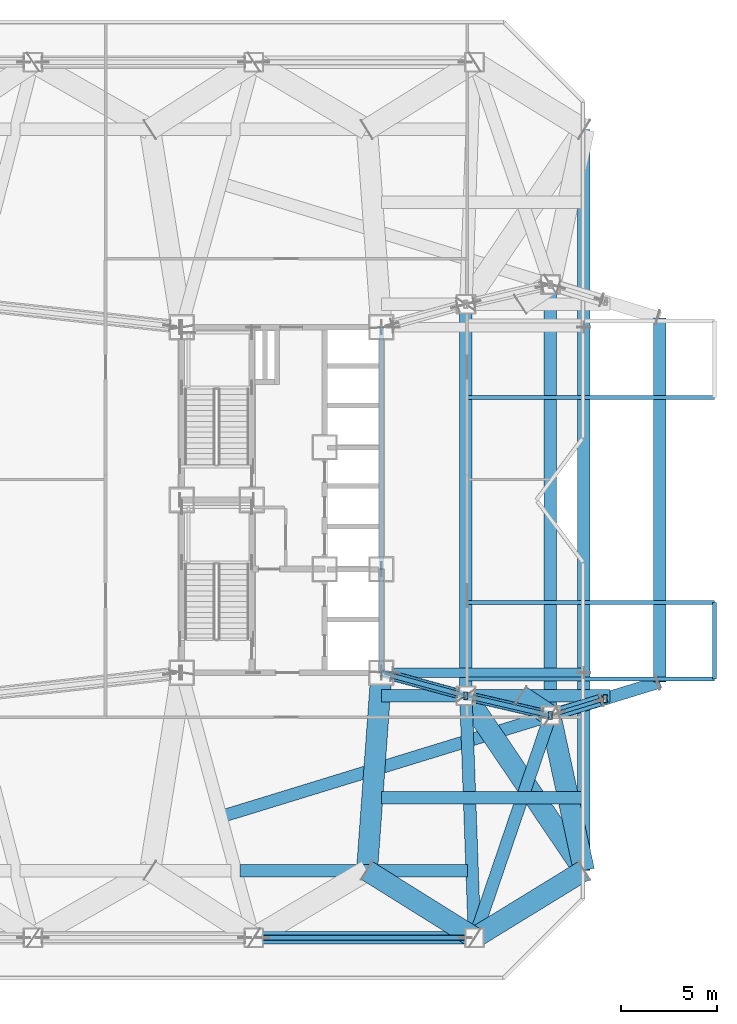
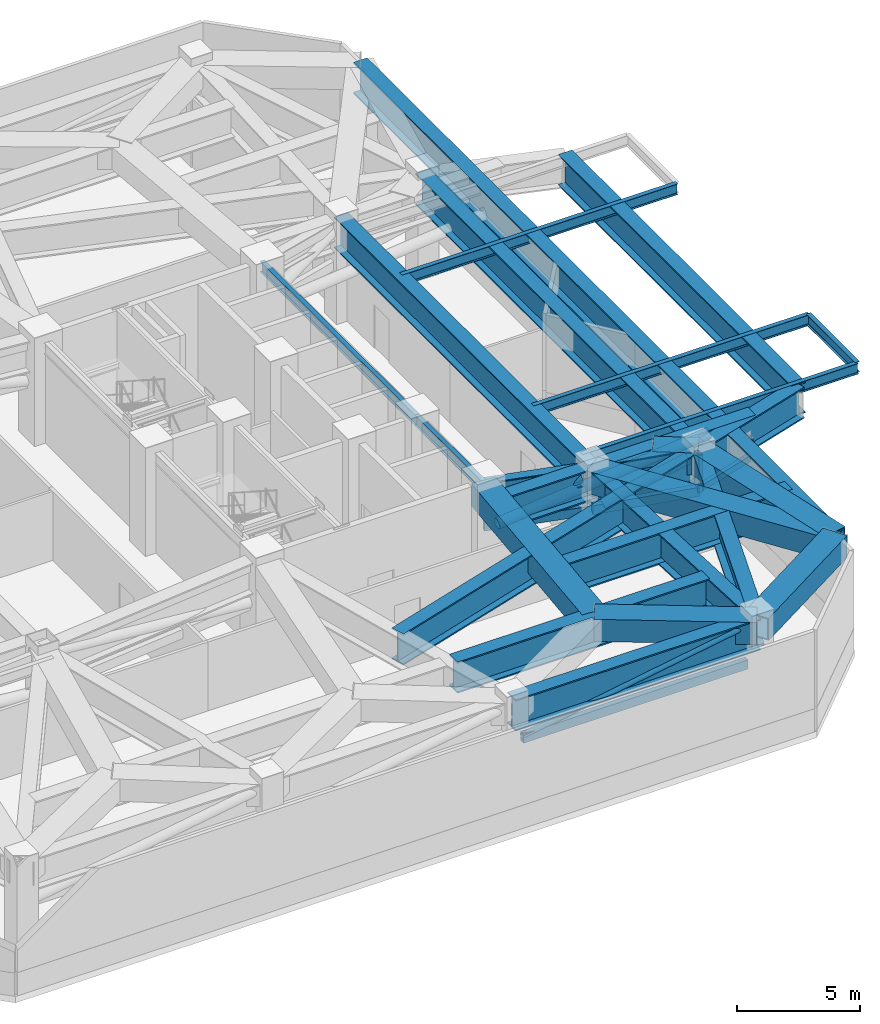
# One storey, part 3 of 18: 25 beams, 14 members.
"""IFC4 building model written with IfcOpenShell, lengths in metres."""

from ifc_helpers import new_model, si_unit, direction, frame, origin, origin_2d, place, context, subcontext, project, spatial, hollow_rectangle, hollow_circle, i_section, extrude, material, material_profile, profile_set, type_object, element, save


model = new_model("IFC4")

# Units and contexts
model_context = context("Model", 3, precision=1e-05, world=origin(), true_north=direction((0.0, 1.0)))
body_context = subcontext(model_context, "Body", "Model", "MODEL_VIEW")
ifc_project = project(units=[si_unit("LENGTHUNIT", "METRE"), si_unit("AREAUNIT", "SQUARE_METRE"), si_unit("VOLUMEUNIT", "CUBIC_METRE"), si_unit("PLANEANGLEUNIT", "RADIAN"), si_unit("MASSUNIT", "GRAM", prefix="KILO")], contexts=[model_context])

# Site, building, storey
site_placement = place(None, origin())
site = spatial("IfcSite", under=ifc_project, at=site_placement, CompositionType="ELEMENT")
building_placement = place(site_placement, origin())
building = spatial("IfcBuilding", under=site, at=building_placement, Name="Khamvora Tower", CompositionType="ELEMENT")
storey_placement = place(building_placement, frame((0.0, 0.0, 84.39990234375)))
storey = spatial("IfcBuildingStorey", under=building, at=storey_placement, Name="L21", CompositionType="ELEMENT", Elevation=84.39990234375)

# Beams
ifc_material_1 = material(Name="Steel S355", Category="steel")
ifc_material_profile_1 = material_profile(ifc_material_1, i_section(OverallWidth=0.208984375, OverallDepth=0.532958984375, WebThickness=0.010009765625, FlangeThickness=0.01611328125, FilletRadius=0.013916015625, at=origin_2d()), Name="W530x92")
ifc_profile_set_1 = profile_set([ifc_material_profile_1], Name="Steel S355")
beam_type_1 = type_object("IfcBeamType", Name="BM-SP-W530x92", PredefinedType="SPANDREL", material=ifc_profile_set_1)
beam_1_placement = place(storey_placement, frame((39.39990234375, 19.0, 4.714111328125), z_axis=(0.0, 1.0, 0.0), x_axis=(-1.0, 0.0, 0.0)))
element("IfcBeam", 1, at=beam_1_placement, inside=storey, type_object=beam_type_1, Name="L21 core spine girder ES", PredefinedType="SPANDREL", context=body_context, shape_type="SweptSolid", body=[
    extrude(i_section(OverallWidth=0.208984375, OverallDepth=0.532958984375, WebThickness=0.010009765625, FlangeThickness=0.01611328125, FilletRadius=0.013916015625, at=origin_2d()), origin(), (0.0, 0.0, 1.0), 5.39990234375),
])
beam_2_placement = place(storey_placement, frame((39.39990234375, 24.39990234375, 4.714111328125), z_axis=(0.0, 1.0, 0.0), x_axis=(-1.0, 0.0, 0.0)))
element("IfcBeam", 2, at=beam_2_placement, inside=storey, type_object=beam_type_1, Name="L21 core spine girder EN", PredefinedType="SPANDREL", context=body_context, shape_type="SweptSolid", body=[
    extrude(i_section(OverallWidth=0.208984375, OverallDepth=0.532958984375, WebThickness=0.010009765625, FlangeThickness=0.01611328125, FilletRadius=0.013916015625, at=origin_2d()), origin(), (0.0, 0.0, 1.0), 12.60009765625),
])
for number, where, z_axis, x_axis, name in (
    (3, (43.800048828125, 18.669921875, 4.714111328125), (1.0, 0.0, 0.0), (0.0, 1.0, 0.0), "L21 continuous gallery cantilever girder L22-EL1-1"),
    (4, (43.800048828125, 22.64990234375, 4.714111328125), (1.0, 0.0, 0.0), (0.0, 1.0, 0.0), "L21 continuous gallery cantilever girder L22-EL1-2"),
):
    element("IfcBeam", number, at=place(storey_placement, frame(where, z_axis=z_axis, x_axis=x_axis)), inside=storey, type_object=beam_type_1, Name=name, PredefinedType="SPANDREL", context=body_context, shape_type="SweptSolid", body=[
        extrude(i_section(OverallWidth=0.208984375, OverallDepth=0.532958984375, WebThickness=0.010009765625, FlangeThickness=0.01611328125, FilletRadius=0.013916015625, at=origin_2d()), origin(), (0.0, 0.0, 1.0), 12.949951171875),
    ])
beam_3_placement = place(storey_placement, frame((56.75, 18.669921875, 4.714111328125), z_axis=(0.0, 1.0, 0.0), x_axis=(-1.0, 0.0, 0.0)))
element("IfcBeam", 5, at=beam_3_placement, inside=storey, type_object=beam_type_1, Name="L21 external gallery edge header beam L22-EL1", PredefinedType="SPANDREL", context=body_context, shape_type="SweptSolid", body=[
    extrude(i_section(OverallWidth=0.208984375, OverallDepth=0.532958984375, WebThickness=0.010009765625, FlangeThickness=0.01611328125, FilletRadius=0.013916015625, at=origin_2d()), origin(), (0.0, 0.0, 1.0), 3.97998046875),
])
beam_4_placement = place(storey_placement, frame((43.800048828125, 33.35009765625, 4.714111328125), z_axis=(1.0, 0.0, 0.0), x_axis=(0.0, 1.0, 0.0)))
element("IfcBeam", 6, at=beam_4_placement, inside=storey, type_object=beam_type_1, Name="L21 continuous gallery cantilever girder L22-EL2-1", PredefinedType="SPANDREL", context=body_context, shape_type="SweptSolid", body=[
    extrude(i_section(OverallWidth=0.208984375, OverallDepth=0.532958984375, WebThickness=0.010009765625, FlangeThickness=0.01611328125, FilletRadius=0.013916015625, at=origin_2d()), origin(), (0.0, 0.0, 1.0), 12.949951171875),
])
ifc_material_2 = material(Name="Steel S460", Category="steel")
ifc_material_profile_2 = material_profile(ifc_material_2, hollow_rectangle(XDim=1.10009765625, YDim=1.10009765625, WallThickness=0.054931640625, at=origin_2d()), Name="BOX1100x1100x55")
ifc_profile_set_2 = profile_set([ifc_material_profile_2], Name="Steel S460")
beam_type_2 = type_object("IfcBeamType", Name="BM-TG-BOX1100", PredefinedType="BEAM", material=ifc_profile_set_2)
beam_5_placement = place(storey_placement, frame((44.25, 5.199951171875, 4.43017578125), z_axis=(-0.848002457836, 0.529992293815, 0.0), x_axis=(-0.529992293815, -0.848002457836, 0.0)))
element("IfcBeam", 7, at=beam_5_placement, inside=storey, type_object=beam_type_2, Name="L21 Zone Transfer Truss frame transfer link S3.1", PredefinedType="BEAM", context=body_context, shape_type="SweptSolid", body=[
    extrude(hollow_rectangle(XDim=1.10009765625, YDim=1.10009765625, WallThickness=0.054931640625, at=origin_2d()), origin(), (0.0, 0.0, 1.0), 6.603759765625),
])
beam_6_placement = place(storey_placement, frame((39.39990234375, 19.0, 4.43017578125), z_axis=(-0.07262291808, -0.997359469685, 0.0), x_axis=(0.997359469685, -0.07262291808, 0.0)))
element("IfcBeam", 8, at=beam_6_placement, inside=storey, type_object=beam_type_2, Name="L21 Zone Transfer Truss frame transfer link S3.3", PredefinedType="BEAM", context=body_context, shape_type="SweptSolid", body=[
    extrude(hollow_rectangle(XDim=1.10009765625, YDim=1.10009765625, WallThickness=0.054931640625, at=origin_2d()), origin(), (0.0, 0.0, 1.0), 10.327392578125),
])
beam_7_placement = place(storey_placement, frame((44.25, 5.199951171875, 4.43017578125), z_axis=(0.852169226934, 0.523266288488, 0.0), x_axis=(-0.523266288488, 0.852169226934, 0.0)))
element("IfcBeam", 9, at=beam_7_placement, inside=storey, type_object=beam_type_2, Name="L21 Zone Transfer Truss frame transfer link S4.1", PredefinedType="BEAM", context=body_context, shape_type="SweptSolid", body=[
    extrude(hollow_rectangle(XDim=1.10009765625, YDim=1.10009765625, WallThickness=0.054931640625, at=origin_2d()), origin(), (0.0, 0.0, 1.0), 6.688720703125),
])
beam_8_placement = place(storey_placement, frame((48.199951171875, 16.77490234375, 4.43017578125), z_axis=(0.211802737754, -0.977312437391, 0.0), x_axis=(0.977312437391, 0.211802737754, 0.0)))
element("IfcBeam", 10, at=beam_8_placement, inside=storey, type_object=beam_type_2, Name="L21 Zone Transfer Truss frame transfer link S4.2", PredefinedType="BEAM", context=body_context, shape_type="SweptSolid", body=[
    extrude(hollow_rectangle(XDim=1.10009765625, YDim=1.10009765625, WallThickness=0.054931640625, at=origin_2d()), origin(), (0.0, 0.0, 1.0), 8.262451171875),
])
beam_9_placement = place(storey_placement, frame((43.800048828125, 17.800048828125, 4.43017578125), z_axis=(0.559931652101, -0.828538801128, 0.0), x_axis=(0.828538801128, 0.559931652101, 0.0)))
element("IfcBeam", 11, at=beam_9_placement, inside=storey, type_object=beam_type_2, Name="L21 Zone Transfer Truss frame transfer link S4.3", PredefinedType="BEAM", context=body_context, shape_type="SweptSolid", body=[
    extrude(hollow_rectangle(XDim=1.10009765625, YDim=1.10009765625, WallThickness=0.054931640625, at=origin_2d()), origin(), (0.0, 0.0, 1.0), 10.9833984375),
])
beam_10_placement = place(storey_placement, frame((48.199951171875, 16.77490234375, 4.43017578125), z_axis=(-0.834085991555, 0.551634442989, 0.0), x_axis=(-0.551634442989, -0.834085991555, 0.0)))
element("IfcBeam", 12, at=beam_10_placement, inside=storey, type_object=beam_type_2, Name="L21 Zone Transfer Truss frame transfer link M1.1", PredefinedType="BEAM", context=body_context, shape_type="SweptSolid", body=[
    extrude(hollow_rectangle(XDim=1.10009765625, YDim=1.10009765625, WallThickness=0.054931640625, at=origin_2d()), origin(), (0.0, 0.0, 1.0), 1.8583984375),
])
ifc_material_profile_3 = material_profile(ifc_material_2, i_section(OverallWidth=0.64990234375, OverallDepth=1.550048828125, WebThickness=0.0400390625, FlangeThickness=0.06494140625, at=origin_2d()), Name="PG1550x650x40x65")
ifc_profile_set_3 = profile_set([ifc_material_profile_3], Name="Steel S460")
beam_type_3 = type_object("IfcBeamType", Name="BM-TG-PG1800", PredefinedType="BEAM", material=ifc_profile_set_3)
beam_11_placement = place(storey_placement, frame((32.75, 5.199951171875, 4.205078125), z_axis=(1.0, 0.0, 0.0), x_axis=(0.0, 1.0, 0.0)))
element("IfcBeam", 13, at=beam_11_placement, inside=storey, type_object=beam_type_3, Name="L21 perimeter spandrel beam S3-S4", PredefinedType="BEAM", context=body_context, shape_type="SweptSolid", body=[
    extrude(i_section(OverallWidth=0.64990234375, OverallDepth=1.550048828125, WebThickness=0.0400390625, FlangeThickness=0.06494140625, at=origin_2d()), origin(), (0.0, 0.0, 1.0), 11.5),
])
beam_12_placement = place(storey_placement, frame((44.25, 5.199951171875, 4.205078125), z_axis=(0.322962893199, 0.946411628002, 0.0), x_axis=(-0.946411628002, 0.322962893199, 0.0)))
element("IfcBeam", 14, at=beam_12_placement, inside=storey, type_object=beam_type_3, Name="L21 perimeter spandrel beam S4-E1", PredefinedType="BEAM", context=body_context, shape_type="SweptSolid", body=[
    extrude(i_section(OverallWidth=0.64990234375, OverallDepth=1.550048828125, WebThickness=0.0400390625, FlangeThickness=0.06494140625, at=origin_2d()), origin(), (0.0, 0.0, 1.0), 12.23046875),
])
beam_13_placement = place(storey_placement, frame((48.199951171875, 16.77490234375, 4.205078125), z_axis=(0.0, 1.0, 0.0), x_axis=(-1.0, 0.0, 0.0)))
element("IfcBeam", 15, at=beam_13_placement, inside=storey, type_object=beam_type_3, Name="L21 perimeter spandrel beam E1-E2", PredefinedType="BEAM", context=body_context, shape_type="SweptSolid", body=[
    extrude(i_section(OverallWidth=0.64990234375, OverallDepth=1.550048828125, WebThickness=0.0400390625, FlangeThickness=0.06494140625, at=origin_2d()), origin(), (0.0, 0.0, 1.0), 22.4501953125),
])
beam_14_placement = place(storey_placement, frame((43.800048828125, 17.800048828125, 4.205078125), z_axis=(0.0, 1.0, 0.0), x_axis=(-1.0, 0.0, 0.0)))
element("IfcBeam", 16, at=beam_14_placement, inside=storey, type_object=beam_type_3, Name="L21 longitudinal frame girder M1-M2", PredefinedType="BEAM", context=body_context, shape_type="SweptSolid", body=[
    extrude(i_section(OverallWidth=0.64990234375, OverallDepth=1.550048828125, WebThickness=0.0400390625, FlangeThickness=0.06494140625, at=origin_2d()), origin(), (0.0, 0.0, 1.0), 20.39990234375),
])
beam_15_placement = place(storey_placement, frame((43.800048828125, 17.800048828125, 4.205078125), z_axis=(0.035687386423, -0.999363002342, 0.0), x_axis=(0.999363002342, 0.035687386423, 0.0)))
element("IfcBeam", 17, at=beam_15_placement, inside=storey, type_object=beam_type_3, Name="L21 primary floor girder S4", PredefinedType="BEAM", context=body_context, shape_type="SweptSolid", body=[
    extrude(i_section(OverallWidth=0.64990234375, OverallDepth=1.550048828125, WebThickness=0.0400390625, FlangeThickness=0.06494140625, at=origin_2d()), origin(), (0.0, 0.0, 1.0), 12.608154296875),
])
beam_16_placement = place(storey_placement, frame((39.39990234375, 12.5, 4.205078125), z_axis=(1.0, 0.0, 0.0), x_axis=(0.0, 1.0, 0.0)))
element("IfcBeam", 18, at=beam_16_placement, inside=storey, type_object=beam_type_3, Name="L21 Zone Transfer east outrigger bracket girder S", PredefinedType="BEAM", context=body_context, shape_type="SweptSolid", body=[
    extrude(i_section(OverallWidth=0.64990234375, OverallDepth=1.550048828125, WebThickness=0.0400390625, FlangeThickness=0.06494140625, at=origin_2d()), origin(), (0.0, 0.0, 1.0), 10.550048828125),
])
beam_17_placement = place(storey_placement, frame((49.949951171875, 8.699951171875, 4.205078125), z_axis=(0.0, 1.0, 0.0), x_axis=(-1.0, 0.0, 0.0)))
element("IfcBeam", 19, at=beam_17_placement, inside=storey, type_object=beam_type_3, Name="L21 Zone Transfer east step-out header girder", PredefinedType="BEAM", context=body_context, shape_type="SweptSolid", body=[
    extrude(i_section(OverallWidth=0.64990234375, OverallDepth=1.550048828125, WebThickness=0.0400390625, FlangeThickness=0.06494140625, at=origin_2d()), origin(), (0.0, 0.0, 1.0), 38.60009765625),
])
beam_18_placement = place(storey_placement, frame((32.0390625, 8.699951171875, 4.205078125), z_axis=(1.0, 0.0, 0.0), x_axis=(0.0, 1.0, 0.0)))
element("IfcBeam", 20, at=beam_18_placement, inside=storey, type_object=beam_type_3, Name="L21 Zone Transfer Truss Box Girder S3", PredefinedType="BEAM", context=body_context, shape_type="SweptSolid", body=[
    extrude(i_section(OverallWidth=0.64990234375, OverallDepth=1.550048828125, WebThickness=0.0400390625, FlangeThickness=0.06494140625, at=origin_2d()), origin(), (0.0, 0.0, 1.0), 11.845947265625),
])
beam_19_placement = place(storey_placement, frame((31.037109375, 11.506103515625, 4.205078125), z_axis=(0.955965765305, 0.293478202878, 0.0), x_axis=(-0.293478202878, 0.955965765305, 0.0)))
element("IfcBeam", 21, at=beam_19_placement, inside=storey, type_object=beam_type_3, Name="L21 Zone Transfer Truss Upper Box Girder E1", PredefinedType="BEAM", context=body_context, shape_type="SweptSolid", body=[
    extrude(i_section(OverallWidth=0.64990234375, OverallDepth=1.550048828125, WebThickness=0.0400390625, FlangeThickness=0.06494140625, at=origin_2d()), origin(), (0.0, 0.0, 1.0), 23.916015625),
])
beam_20_placement = place(storey_placement, frame((39.39990234375, 17.800048828125, 4.205078125), z_axis=(1.0, 0.0, 0.0), x_axis=(0.0, 1.0, 0.0)))
element("IfcBeam", 22, at=beam_20_placement, inside=storey, type_object=beam_type_3, Name="L21 Zone Transfer Truss Box Girder M1", PredefinedType="BEAM", context=body_context, shape_type="SweptSolid", body=[
    extrude(i_section(OverallWidth=0.64990234375, OverallDepth=1.550048828125, WebThickness=0.0400390625, FlangeThickness=0.06494140625, at=origin_2d()), origin(), (0.0, 0.0, 1.0), 11.898193359375),
])
beam_21_placement = place(storey_placement, frame((53.89990234375, 18.52001953125, 4.205078125), z_axis=(0.0, 1.0, 0.0), x_axis=(-1.0, 0.0, 0.0)))
element("IfcBeam", 23, at=beam_21_placement, inside=storey, type_object=beam_type_3, Name="L21 east step-out header girder", PredefinedType="BEAM", context=body_context, shape_type="SweptSolid", body=[
    extrude(i_section(OverallWidth=0.64990234375, OverallDepth=1.550048828125, WebThickness=0.0400390625, FlangeThickness=0.06494140625, at=origin_2d()), origin(), (0.0, 0.0, 1.0), 18.9599609375),
])
ifc_material_profile_4 = material_profile(ifc_material_2, i_section(OverallWidth=0.423095703125, OverallDepth=0.93310546875, WebThickness=0.02392578125, FlangeThickness=0.04296875, FilletRadius=0.02001953125, at=origin_2d()), Name="W920x446")
ifc_profile_set_4 = profile_set([ifc_material_profile_4], Name="Steel S460")
beam_type_4 = type_object("IfcBeamType", Name="BM-TL-900", PredefinedType="BEAM", material=ifc_profile_set_4)
beam_22_placement = place(storey_placement, frame((43.800048828125, 17.800048828125, 4.51318359375), z_axis=(0.973914503503, -0.226915270237, 0.0), x_axis=(0.226915270237, 0.973914503503, 0.0)))
element("IfcBeam", 24, at=beam_22_placement, inside=storey, type_object=beam_type_4, Name="L21 primary floor girder E1", PredefinedType="BEAM", context=body_context, shape_type="SweptSolid", body=[
    extrude(i_section(OverallWidth=0.423095703125, OverallDepth=0.93310546875, WebThickness=0.02392578125, FlangeThickness=0.04296875, FilletRadius=0.02001953125, at=origin_2d()), origin(), (0.0, 0.0, 1.0), 4.517822265625),
])
beam_23_placement = place(storey_placement, frame((39.39990234375, 19.0, 4.51318359375), z_axis=(0.964768762286, -0.263099287945, 0.0), x_axis=(0.263099287945, 0.964768762286, 0.0)))
element("IfcBeam", 25, at=beam_23_placement, inside=storey, type_object=beam_type_4, Name="L21 primary floor girder M1", PredefinedType="BEAM", context=body_context, shape_type="SweptSolid", body=[
    extrude(i_section(OverallWidth=0.423095703125, OverallDepth=0.93310546875, WebThickness=0.02392578125, FlangeThickness=0.04296875, FilletRadius=0.02001953125, at=origin_2d()), origin(), (0.0, 0.0, 1.0), 4.560791015625),
])

# Members
ifc_material_profile_5 = material_profile(ifc_material_2, hollow_circle(Radius=0.25390625, WallThickness=0.02490234375, at=origin_2d()), Name="CHS508x25")
ifc_profile_set_5 = profile_set([ifc_material_profile_5], Name="Steel S460")
member_type_1 = type_object("IfcMemberType", Name="MEM-BR-CHS508I", PredefinedType="BRACE", material=ifc_profile_set_5)
member_1_placement = place(storey_placement, frame((39.9619140625, 18.846923828125, 2.9990234375), z_axis=(0.892678457271, -0.243428711608, 0.379298871986), x_axis=(0.263088183687, 0.964771790427, 0.0)))
element("IfcMember", 26, at=member_1_placement, inside=storey, type_object=member_type_1, Name="L21 Outrigger Truss Web Diagonal 5", PredefinedType="BRACE", context=body_context, shape_type="SweptSolid", body=[
    extrude(hollow_circle(Radius=0.25390625, WallThickness=0.02490234375, at=origin_2d()), origin(), (0.0, 0.0, 1.0), 3.820068359375),
])
member_2_placement = place(storey_placement, frame((44.23193359375, 17.698974609375, 2.944091796875), z_axis=(0.899997179693, -0.209464960836, 0.382268893225), x_axis=(0.226681136724, 0.973969025305, 0.0)))
element("IfcMember", 27, at=member_2_placement, inside=storey, type_object=member_type_1, Name="L21 Outrigger Truss Web Diagonal 6", PredefinedType="BRACE", context=body_context, shape_type="SweptSolid", body=[
    extrude(hollow_circle(Radius=0.25390625, WallThickness=0.02490234375, at=origin_2d()), origin(), (0.0, 0.0, 1.0), 3.928955078125),
])
member_3_placement = place(storey_placement, frame((40.027099609375, 19.0, 2.614013671875), z_axis=(0.994797859742, 0.0, 0.101868632326), x_axis=(0.0, 1.0, 0.0)))
element("IfcMember", 28, at=member_3_placement, inside=storey, type_object=member_type_1, Name="L21 Transfer Header Raking Strut ES", PredefinedType="BRACE", context=body_context, shape_type="SweptSolid", body=[
    extrude(hollow_circle(Radius=0.25390625, WallThickness=0.02490234375, at=origin_2d()), origin(), (0.0, 0.0, 1.0), 9.974853515625),
])
ifc_material_profile_6 = material_profile(ifc_material_2, hollow_circle(Radius=0.304931640625, WallThickness=0.028076171875, at=origin_2d()), Name="CHS610x28")
ifc_profile_set_6 = profile_set([ifc_material_profile_6], Name="Steel S460")
member_type_2 = type_object("IfcMemberType", Name="MEM-BR-CHS610", PredefinedType="BRACE", material=ifc_profile_set_6)
member_4_placement = place(storey_placement, frame((48.633056640625, 16.907958984375, 2.9990234375), z_axis=(0.901611875397, 0.276762804748, 0.332412960112), x_axis=(-0.2934501599, 0.955974373953, 0.0)))
element("IfcMember", 29, at=member_4_placement, inside=storey, type_object=member_type_2, Name="L21 Zone Transfer Truss Web Brace E1", PredefinedType="BRACE", context=body_context, shape_type="SweptSolid", body=[
    extrude(hollow_circle(Radius=0.304931640625, WallThickness=0.028076171875, at=origin_2d()), origin(), (0.0, 0.0, 1.0), 2.461181640625),
])
ifc_material_profile_7 = material_profile(ifc_material_2, hollow_rectangle(XDim=0.25, YDim=0.449951171875, WallThickness=0.01611328125, at=origin_2d()), Name="RHS450x250x16")
ifc_profile_set_7 = profile_set([ifc_material_profile_7], Name="Steel S460")
member_type_3 = type_object("IfcMemberType", Name="MEM-CH-RHS450", PredefinedType="CHORD", material=ifc_profile_set_7)
for number, where, z_axis, x_axis, name in (
    (30, (39.39990234375, 19.0, 4.630126953125), (0.964768762286, -0.263099287945, 0.0), (0.263099287945, 0.964768762286, 0.0), "L21 Outrigger Truss Top Chord 5"),
    (31, (39.39990234375, 19.0, 2.760009765625), (0.964768762286, -0.263099287945, 0.0), (0.263099287945, 0.964768762286, 0.0), "L21 Outrigger Truss Bottom Chord 5"),
):
    element("IfcMember", number, at=place(storey_placement, frame(where, z_axis=z_axis, x_axis=x_axis)), inside=storey, type_object=member_type_3, Name=name, PredefinedType="CHORD", context=body_context, shape_type="SweptSolid", body=[
        extrude(hollow_rectangle(XDim=0.25, YDim=0.449951171875, WallThickness=0.01611328125, at=origin_2d()), origin(), (0.0, 0.0, 1.0), 4.560791015625),
    ])
for number, where, z_axis, x_axis, name in (
    (32, (43.800048828125, 17.800048828125, 4.630126953125), (0.973914503503, -0.226915270237, 0.0), (0.226915270237, 0.973914503503, 0.0), "L21 Outrigger Truss Top Chord 6"),
    (33, (43.800048828125, 17.800048828125, 2.760009765625), (0.973914503503, -0.226915270237, 0.0), (0.226915270237, 0.973914503503, 0.0), "L21 Outrigger Truss Bottom Chord 6"),
):
    element("IfcMember", number, at=place(storey_placement, frame(where, z_axis=z_axis, x_axis=x_axis)), inside=storey, type_object=member_type_3, Name=name, PredefinedType="CHORD", context=body_context, shape_type="SweptSolid", body=[
        extrude(hollow_rectangle(XDim=0.25, YDim=0.449951171875, WallThickness=0.01611328125, at=origin_2d()), origin(), (0.0, 0.0, 1.0), 4.517822265625),
    ])
member_5_placement = place(storey_placement, frame((33.22998046875, 5.199951171875, 2.760009765625), z_axis=(1.0, 0.0, 0.0), x_axis=(0.0, 1.0, 0.0)))
element("IfcMember", 34, at=member_5_placement, inside=storey, type_object=member_type_3, Name="L21 Perimeter Belt Truss Bottom Chord 1.3", PredefinedType="CHORD", context=body_context, shape_type="SweptSolid", body=[
    extrude(hollow_rectangle(XDim=0.25, YDim=0.449951171875, WallThickness=0.01611328125, at=origin_2d()), origin(), (0.0, 0.0, 1.0), 10.5400390625),
])
ifc_material_profile_8 = material_profile(ifc_material_1, hollow_rectangle(XDim=0.199951171875, YDim=0.300048828125, WallThickness=0.011962890625, at=origin_2d()), Name="RHS300x200x12")
ifc_profile_set_8 = profile_set([ifc_material_profile_8], Name="Steel S355")
member_type_4 = type_object("IfcMemberType", Name="MEM-PR-RHS300", PredefinedType="PURLIN", material=ifc_profile_set_8)
member_6_placement = place(storey_placement, frame((48.199951171875, 16.77490234375, 2.840087890625), z_axis=(0.955962959179, 0.293487343301, 0.0), x_axis=(-0.293487343301, 0.955962959179, 0.0)))
element("IfcMember", 35, at=member_6_placement, inside=storey, type_object=member_type_4, Name="L21 Zone Transfer Truss Lower Chord E1", PredefinedType="PURLIN", context=body_context, shape_type="SweptSolid", body=[
    extrude(hollow_rectangle(XDim=0.199951171875, YDim=0.300048828125, WallThickness=0.011962890625, at=origin_2d()), origin(), (0.0, 0.0, 1.0), 2.9814453125),
])
ifc_material_profile_9 = material_profile(ifc_material_1, hollow_rectangle(XDim=0.199951171875, YDim=0.39990234375, WallThickness=0.01611328125, at=origin_2d()), Name="RHS400x200x16")
ifc_profile_set_9 = profile_set([ifc_material_profile_9], Name="Steel S355")
member_type_5 = type_object("IfcMemberType", Name="MEM-PS-RHS400", PredefinedType="POST", material=ifc_profile_set_9)
for number, where, z_axis, x_axis, name in (
    (36, (43.800048828125, 17.800048828125, 2.760009765625), (0.0, 0.0, 1.0), (1.0, 0.0, 0.0), "L21 Outrigger Truss Post 5"),
    (37, (48.199951171875, 16.77490234375, 2.760009765625), (0.0, 0.0, 1.0), (1.0, 0.0, 0.0), "L21 Outrigger Truss Post 6"),
):
    element("IfcMember", number, at=place(storey_placement, frame(where, z_axis=z_axis, x_axis=x_axis)), inside=storey, type_object=member_type_5, Name=name, PredefinedType="POST", context=body_context, shape_type="SweptSolid", body=[
        extrude(hollow_rectangle(XDim=0.199951171875, YDim=0.39990234375, WallThickness=0.01611328125, at=origin_2d()), origin(), (0.0, 0.0, 1.0), 1.8701171875),
    ])
member_7_placement = place(storey_placement, frame((51.050048828125, 17.64990234375, 2.840087890625), z_axis=(0.0, 0.0, 1.0), x_axis=(1.0, 0.0, 0.0)))
element("IfcMember", 38, at=member_7_placement, inside=storey, type_object=member_type_5, Name="L21 Zone Transfer Truss Vertical Web Post E1", PredefinedType="POST", context=body_context, shape_type="SweptSolid", body=[
    extrude(hollow_rectangle(XDim=0.199951171875, YDim=0.39990234375, WallThickness=0.01611328125, at=origin_2d()), origin(), (0.0, 0.0, 1.0), 1.050048828125),
])
ifc_material_profile_10 = material_profile(ifc_material_1, hollow_circle(Radius=0.136474609375, WallThickness=0.011962890625, at=origin_2d()), Name="CHS273x12")
ifc_profile_set_10 = profile_set([ifc_material_profile_10], Name="Steel S355")
member_type_6 = type_object("IfcMemberType", Name="MEM-ST-CHS273", PredefinedType="STRUT", material=ifc_profile_set_10)
member_8_placement = place(storey_placement, frame((33.222900390625, 5.199951171875, 2.840087890625), z_axis=(0.985920209779, 0.0, 0.167216446405), x_axis=(0.0, 1.0, 0.0)))
element("IfcMember", 39, at=member_8_placement, inside=storey, type_object=member_type_6, Name="L21 plant perimeter tie strut 1", PredefinedType="STRUT", context=body_context, shape_type="SweptSolid", body=[
    extrude(hollow_circle(Radius=0.136474609375, WallThickness=0.011962890625, at=origin_2d()), origin(), (0.0, 0.0, 1.0), 10.704833984375),
])

save(model, "model.ifc")
